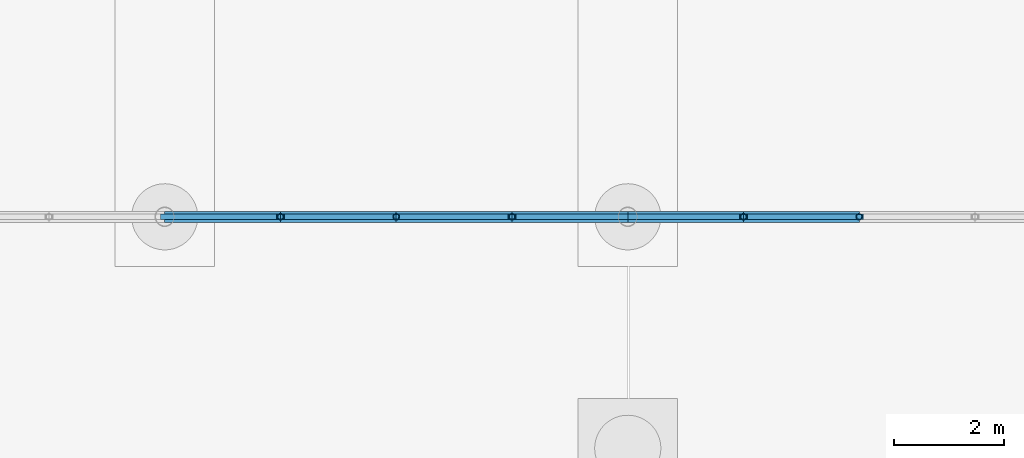
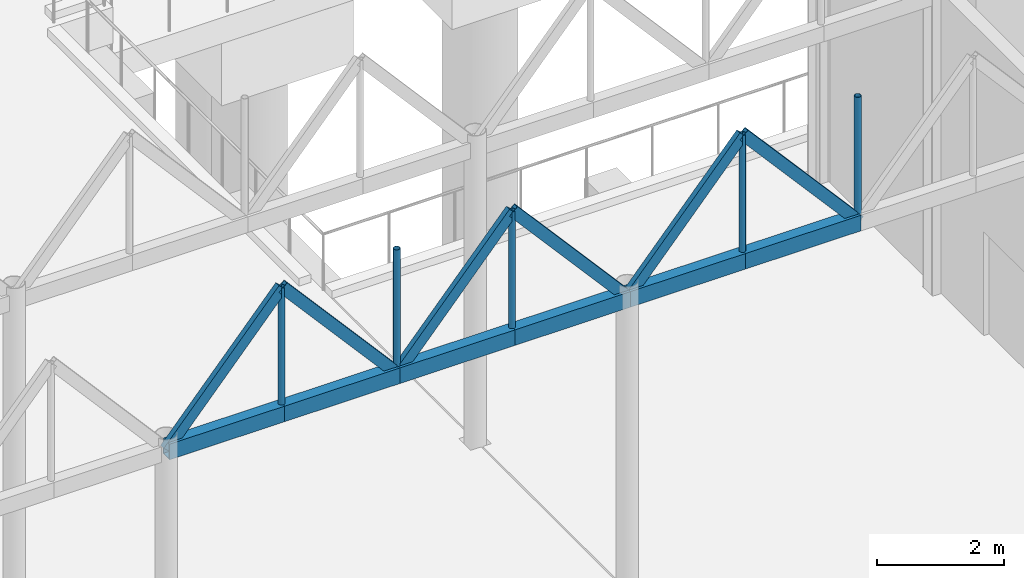
# One storey, part 120 of 212: 17 members.
"""IFC4 building model written with IfcOpenShell, lengths in metres."""

from ifc_helpers import new_model, si_unit, direction, frame, origin, origin_2d, place, context, subcontext, project, spatial, hollow_rectangle, hollow_circle, extrude, material, material_profile, profile_set, type_object, element, save


model = new_model("IFC4")

# Units and contexts
model_context = context("Model", 3, precision=1e-05, world=origin(), true_north=direction((0.0, 1.0)))
body_context = subcontext(model_context, "Body", "Model", "MODEL_VIEW")
ifc_project = project(units=[si_unit("LENGTHUNIT", "METRE"), si_unit("AREAUNIT", "SQUARE_METRE"), si_unit("VOLUMEUNIT", "CUBIC_METRE"), si_unit("PLANEANGLEUNIT", "RADIAN"), si_unit("MASSUNIT", "GRAM", prefix="KILO")], contexts=[model_context])

# Site, building, storey
site_placement = place(None, origin())
site = spatial("IfcSite", under=ifc_project, at=site_placement, CompositionType="ELEMENT")
building_placement = place(site_placement, origin())
building = spatial("IfcBuilding", under=site, at=building_placement, Name="Catenary Quay Ferry Terminal", CompositionType="ELEMENT")
storey_placement = place(building_placement, origin())
storey = spatial("IfcBuildingStorey", under=building, at=storey_placement, Name="L00", CompositionType="ELEMENT", Elevation=0.0)

# Members
ifc_material_1 = material(Name="Steel S355", Category="steel")
ifc_material_profile_1 = material_profile(ifc_material_1, hollow_rectangle(XDim=0.10009765625, YDim=0.199951171875, WallThickness=0.008056640625, at=origin_2d()), Name="RHS 200x100x8")
ifc_profile_set_1 = profile_set([ifc_material_profile_1], Name="Steel S355")
member_type_1 = type_object("IfcMemberType", Name="BR3 RHS 200x100x8", PredefinedType="BRACE", material=ifc_profile_set_1)
member_1_placement = place(storey_placement, frame((109.199951171875, 90.0, 5.699951171875), z_axis=(0.65849918825, 0.0, 0.752581436839), x_axis=(0.0, 1.0, 0.0)))
element("IfcMember", 1, at=member_1_placement, inside=storey, type_object=member_type_1, Name="Bridge diagonal BB2S-D09", PredefinedType="BRACE", context=body_context, shape_type="SweptSolid", body=[
    extrude(hollow_rectangle(XDim=0.10009765625, YDim=0.199951171875, WallThickness=0.008056640625, at=origin_2d()), origin(), (0.0, 0.0, 1.0), 3.189208984375),
])
member_2_placement = place(storey_placement, frame((111.300048828125, 90.0, 8.10009765625), z_axis=(0.658455827614, 0.0, -0.752619374639), x_axis=(0.0, 1.0, 0.0)))
element("IfcMember", 2, at=member_2_placement, inside=storey, type_object=member_type_1, Name="Bridge diagonal BB2S-D10", PredefinedType="BRACE", context=body_context, shape_type="SweptSolid", body=[
    extrude(hollow_rectangle(XDim=0.10009765625, YDim=0.199951171875, WallThickness=0.008056640625, at=origin_2d()), origin(), (0.0, 0.0, 1.0), 3.18896484375),
])
for number, where, z_axis, x_axis, name in (
    (3, (113.39990234375, 90.0, 5.699951171875), (0.65849918825, 0.0, 0.752581436839), (0.0, 1.0, 0.0), "Bridge diagonal BB2S-D11"),
    (4, (115.5, 90.0, 8.10009765625), (0.65849918825, 0.0, -0.752581436839), (0.0, 1.0, 0.0), "Bridge diagonal BB2S-D12"),
):
    element("IfcMember", number, at=place(storey_placement, frame(where, z_axis=z_axis, x_axis=x_axis)), inside=storey, type_object=member_type_1, Name=name, PredefinedType="BRACE", context=body_context, shape_type="SweptSolid", body=[
        extrude(hollow_rectangle(XDim=0.10009765625, YDim=0.199951171875, WallThickness=0.008056640625, at=origin_2d()), origin(), (0.0, 0.0, 1.0), 3.189208984375),
    ])
member_3_placement = place(storey_placement, frame((117.60009765625, 90.0, 5.699951171875), z_axis=(0.658455827614, 0.0, 0.752619374639), x_axis=(0.0, 1.0, 0.0)))
element("IfcMember", 5, at=member_3_placement, inside=storey, type_object=member_type_1, Name="Bridge diagonal BB2S-D13", PredefinedType="BRACE", context=body_context, shape_type="SweptSolid", body=[
    extrude(hollow_rectangle(XDim=0.10009765625, YDim=0.199951171875, WallThickness=0.008056640625, at=origin_2d()), origin(), (0.0, 0.0, 1.0), 3.18896484375),
])
member_4_placement = place(storey_placement, frame((119.699951171875, 90.0, 8.10009765625), z_axis=(0.65849918825, 0.0, -0.752581436839), x_axis=(0.0, 1.0, 0.0)))
element("IfcMember", 6, at=member_4_placement, inside=storey, type_object=member_type_1, Name="Bridge diagonal BB2S-D14", PredefinedType="BRACE", context=body_context, shape_type="SweptSolid", body=[
    extrude(hollow_rectangle(XDim=0.10009765625, YDim=0.199951171875, WallThickness=0.008056640625, at=origin_2d()), origin(), (0.0, 0.0, 1.0), 3.189208984375),
])
ifc_material_2 = material(Name="Steel S355", Category="steel")
ifc_material_profile_2 = material_profile(ifc_material_2, hollow_circle(Radius=0.05712890625, WallThickness=0.00634765625, at=origin_2d()), Name="CHS 114.3x6.3")
ifc_profile_set_2 = profile_set([ifc_material_profile_2], Name="Steel S355")
member_type_2 = type_object("IfcMemberType", Name="HG1 CHS 114.3x6.3", PredefinedType="POST", material=ifc_profile_set_2)
for number, where, z_axis, x_axis, name in (
    (7, (111.300048828125, 90.0, 5.699951171875), (0.0, 0.0, 1.0), (1.0, 0.0, 0.0), "Bridge post BB2S-P10"),
    (8, (113.39990234375, 90.0, 5.699951171875), (0.0, 0.0, 1.0), (1.0, 0.0, 0.0), "Bridge post BB2S-P11"),
    (9, (115.5, 90.0, 5.699951171875), (0.0, 0.0, 1.0), (1.0, 0.0, 0.0), "Bridge post BB2S-P12"),
    (10, (119.699951171875, 90.0, 5.699951171875), (0.0, 0.0, 1.0), (1.0, 0.0, 0.0), "Bridge post BB2S-P14"),
    (11, (121.800048828125, 90.0, 5.699951171875), (0.0, 0.0, 1.0), (1.0, 0.0, 0.0), "Bridge post BB2S-P15"),
):
    element("IfcMember", number, at=place(storey_placement, frame(where, z_axis=z_axis, x_axis=x_axis)), inside=storey, type_object=member_type_2, Name=name, PredefinedType="POST", context=body_context, shape_type="SweptSolid", body=[
        extrude(hollow_circle(Radius=0.05712890625, WallThickness=0.00634765625, at=origin_2d()), origin(), (0.0, 0.0, 1.0), 2.400146484375),
    ])
ifc_material_3 = material(Name="Steel S355", Category="steel")
ifc_material_profile_3 = material_profile(ifc_material_3, hollow_rectangle(XDim=0.199951171875, YDim=0.300048828125, WallThickness=0.012451171875, at=origin_2d()), Name="RHS 300x200x12.5")
ifc_profile_set_3 = profile_set([ifc_material_profile_3], Name="Steel S355")
member_type_3 = type_object("IfcMemberType", Name="TC1 RHS 300x200x12.5", PredefinedType="CHORD", material=ifc_profile_set_3)
member_5_placement = place(storey_placement, frame((109.199951171875, 90.0, 5.699951171875), z_axis=(1.0, 0.0, 0.0), x_axis=(0.0, 1.0, 0.0)))
element("IfcMember", 12, at=member_5_placement, inside=storey, type_object=member_type_3, Name="Bridge bottom chord BB2S-BC09", PredefinedType="CHORD", context=body_context, shape_type="SweptSolid", body=[
    extrude(hollow_rectangle(XDim=0.199951171875, YDim=0.300048828125, WallThickness=0.012451171875, at=origin_2d()), origin(), (0.0, 0.0, 1.0), 2.10009765625),
])
member_6_placement = place(storey_placement, frame((111.300048828125, 90.0, 5.699951171875), z_axis=(1.0, 0.0, 0.0), x_axis=(0.0, 1.0, 0.0)))
element("IfcMember", 13, at=member_6_placement, inside=storey, type_object=member_type_3, Name="Bridge bottom chord BB2S-BC10", PredefinedType="CHORD", context=body_context, shape_type="SweptSolid", body=[
    extrude(hollow_rectangle(XDim=0.199951171875, YDim=0.300048828125, WallThickness=0.012451171875, at=origin_2d()), origin(), (0.0, 0.0, 1.0), 2.099853515625),
])
for number, where, z_axis, x_axis, name in (
    (14, (113.39990234375, 90.0, 5.699951171875), (1.0, 0.0, 0.0), (0.0, 1.0, 0.0), "Bridge bottom chord BB2S-BC11"),
    (15, (115.5, 90.0, 5.699951171875), (1.0, 0.0, 0.0), (0.0, 1.0, 0.0), "Bridge bottom chord BB2S-BC12"),
):
    element("IfcMember", number, at=place(storey_placement, frame(where, z_axis=z_axis, x_axis=x_axis)), inside=storey, type_object=member_type_3, Name=name, PredefinedType="CHORD", context=body_context, shape_type="SweptSolid", body=[
        extrude(hollow_rectangle(XDim=0.199951171875, YDim=0.300048828125, WallThickness=0.012451171875, at=origin_2d()), origin(), (0.0, 0.0, 1.0), 2.10009765625),
    ])
member_7_placement = place(storey_placement, frame((117.60009765625, 90.0, 5.699951171875), z_axis=(1.0, 0.0, 0.0), x_axis=(0.0, 1.0, 0.0)))
element("IfcMember", 16, at=member_7_placement, inside=storey, type_object=member_type_3, Name="Bridge bottom chord BB2S-BC13", PredefinedType="CHORD", context=body_context, shape_type="SweptSolid", body=[
    extrude(hollow_rectangle(XDim=0.199951171875, YDim=0.300048828125, WallThickness=0.012451171875, at=origin_2d()), origin(), (0.0, 0.0, 1.0), 2.099853515625),
])
member_8_placement = place(storey_placement, frame((119.699951171875, 90.0, 5.699951171875), z_axis=(1.0, 0.0, 0.0), x_axis=(0.0, 1.0, 0.0)))
element("IfcMember", 17, at=member_8_placement, inside=storey, type_object=member_type_3, Name="Bridge bottom chord BB2S-BC14", PredefinedType="CHORD", context=body_context, shape_type="SweptSolid", body=[
    extrude(hollow_rectangle(XDim=0.199951171875, YDim=0.300048828125, WallThickness=0.012451171875, at=origin_2d()), origin(), (0.0, 0.0, 1.0), 2.10009765625),
])

save(model, "model.ifc")
